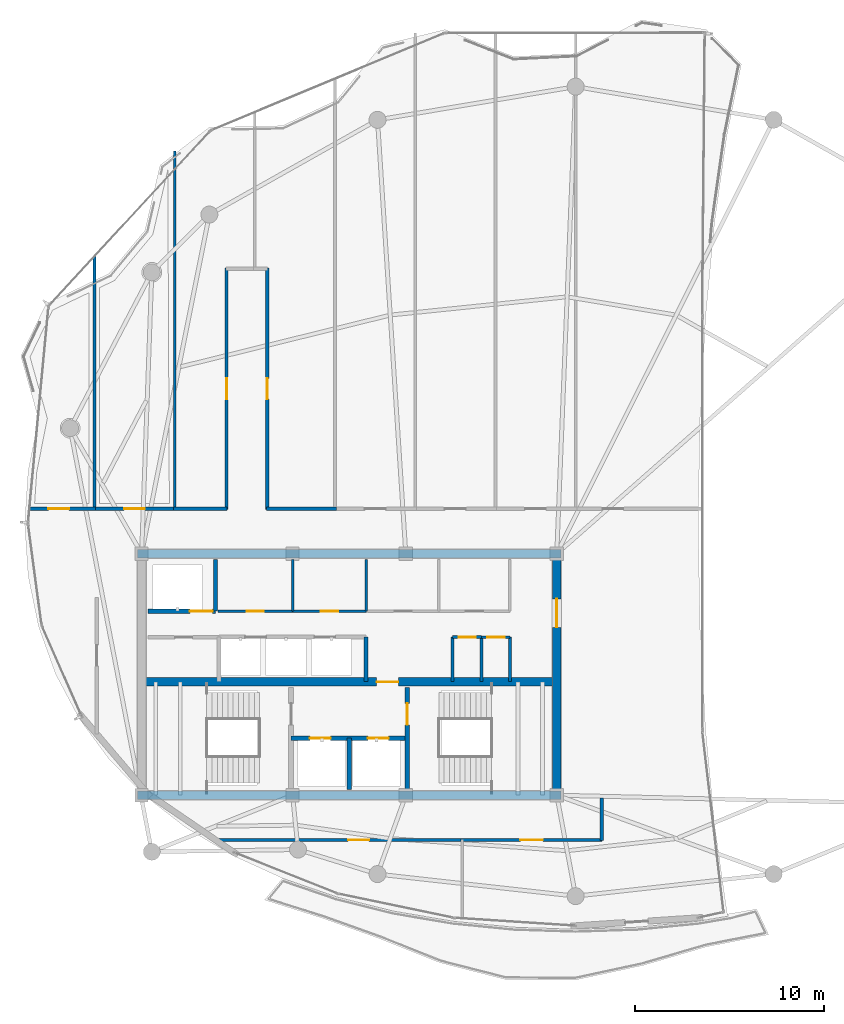
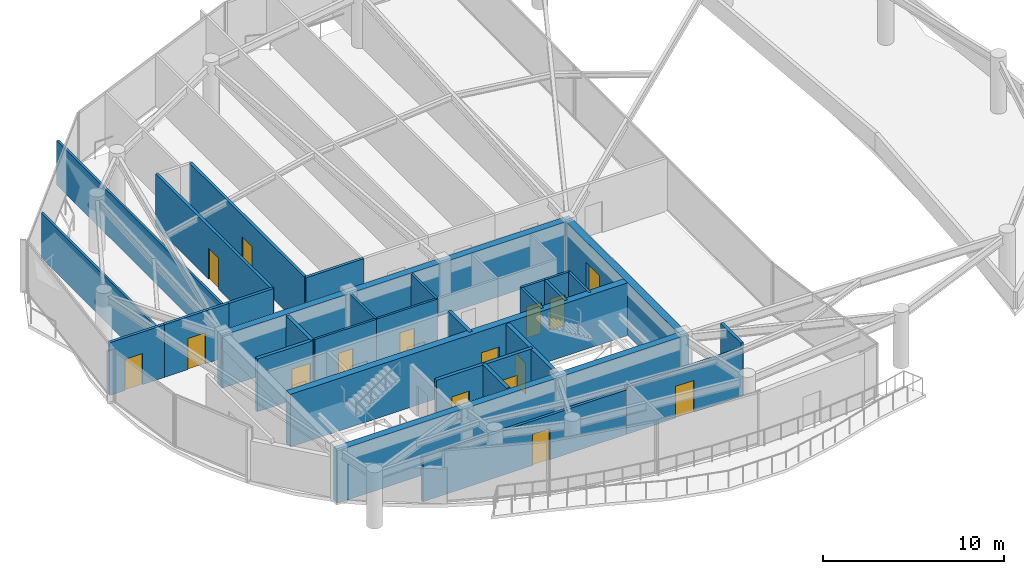
# One storey, part 18 of 22: 30 walls, 16 doors, 16 openings.
"""IFC4 building model written with IfcOpenShell, lengths in metres."""

from ifc_helpers import new_model, si_unit, direction, frame, frame_2d, origin, place, context, subcontext, project, spatial, rectangle, extrude, material, layer, layer_set, type_object, element, fill, save


model = new_model("IFC4")

# Units and contexts
model_context = context("Model", 3, precision=1e-05, world=origin(), true_north=direction((0.0, 1.0)))
body_context = subcontext(model_context, "Body", "Model", "MODEL_VIEW")
ifc_project = project(units=[si_unit("LENGTHUNIT", "METRE"), si_unit("AREAUNIT", "SQUARE_METRE"), si_unit("VOLUMEUNIT", "CUBIC_METRE"), si_unit("PLANEANGLEUNIT", "RADIAN"), si_unit("MASSUNIT", "GRAM", prefix="KILO")], contexts=[model_context])

# Site, building, storey
site_placement = place(None, origin())
site = spatial("IfcSite", under=ifc_project, at=site_placement, CompositionType="ELEMENT")
building_placement = place(site_placement, origin())
building = spatial("IfcBuilding", under=site, at=building_placement, Name="Kazevale Care Tower and Concert Hall", CompositionType="ELEMENT")
storey_placement = place(building_placement, frame((0.0, 0.0, 273.800048828125)))
storey = spatial("IfcBuildingStorey", under=building, at=storey_placement, Name="L72", CompositionType="ELEMENT", Elevation=273.800048828125)

# Wall, opening, door
ifc_material_1 = material(Name="Acoustic Gypsum on Steel Stud", Category="steel")
ifc_layer_1 = layer(ifc_material_1, 0.139892578125)
ifc_layer_set_1 = layer_set([ifc_layer_1], Name="Acoustic Gypsum on Steel Stud")
wall_type_1 = type_object("IfcWallType", Name="Acoustic Care & Suite Partition 140", PredefinedType="PARTITIONING", material=ifc_layer_set_1)
wall_1_placement = place(storey_placement, frame((26.050048828125, 33.35009765625, 0.0), z_axis=(0.0, 0.0, 1.0), x_axis=(1.0, 0.0, 0.0)))
wall_1 = element("IfcWall", 1, at=wall_1_placement, inside=storey, type_object=wall_type_1, Name="wall:L72:c_rpl1_s", PredefinedType="PARTITIONING", context=body_context, shape_type="SweptSolid", body=[
    extrude(rectangle(XDim=3.949951171875, YDim=0.139892578125, at=frame_2d((1.97509765625, 0.0))), origin(), (0.0, 0.0, 1.0), 3.56005859375),
])
opening_1_placement = place(wall_1_placement, frame((1.514892578125, 0.0, 0.0)))
opening_1 = element("IfcOpeningElement", 2, at=opening_1_placement, cuts=wall_1, Name="Opening ID-900", PredefinedType="OPENING", context=body_context, shape_type="SweptSolid", body=[
    extrude(rectangle(XDim=0.919921875, YDim=2.10009765625, at=frame_2d((0.4599609375, 1.050048828125))), frame((0.0, 0.079833984375, 0.0), z_axis=(0.0, -1.0, 0.0), x_axis=(1.0, 0.0, 0.0)), (0.0, 0.0, 1.0), 0.159912109375),
])
ifc_material_2 = material(Name="Oak Timber Fire Leaf", Category="wood")
door_type_1 = type_object("IfcDoorType", Name="Bathroom & Service Door 920x2100", OperationType="NOTDEFINED", PredefinedType="DOOR", material=ifc_material_2)
door_1_placement = place(opening_1_placement, origin())
door_1 = element("IfcDoor", 3, at=door_1_placement, inside=storey, type_object=door_type_1, Name="door:L72:d_rpl1", OperationType="SINGLE_SWING_LEFT", OverallHeight=2.10009765625, OverallWidth=0.919921875, PredefinedType="DOOR", context=body_context, shape_type="SweptSolid", body=[
    extrude(rectangle(XDim=0.919921875, YDim=2.10009765625, at=frame_2d((0.4599609375, 1.050048828125))), frame((0.0, 0.02490234375, 0.0), z_axis=(0.0, -1.0, 0.0), x_axis=(1.0, 0.0, 0.0)), (0.0, 0.0, 1.0), 0.050048828125),
])
fill(opening_1, door_1)

wall_2_placement = place(storey_placement, frame((30.0, 33.35009765625, 0.0), z_axis=(0.0, 0.0, 1.0), x_axis=(1.0, 0.0, 0.0)))
wall_2 = element("IfcWall", 4, at=wall_2_placement, inside=storey, type_object=wall_type_1, Name="wall:L72:c_rpl2_s", PredefinedType="PARTITIONING", context=body_context, shape_type="SweptSolid", body=[
    extrude(rectangle(XDim=3.919921875, YDim=0.139892578125, at=frame_2d((1.9599609375, 0.0))), origin(), (0.0, 0.0, 1.0), 3.56005859375),
])
opening_2_placement = place(wall_2_placement, frame((1.5, 0.0, 0.0)))
opening_2 = element("IfcOpeningElement", 5, at=opening_2_placement, cuts=wall_2, Name="Opening ID-900", PredefinedType="OPENING", context=body_context, shape_type="SweptSolid", body=[
    extrude(rectangle(XDim=0.919921875, YDim=2.10009765625, at=frame_2d((0.4599609375, 1.050048828125))), frame((0.0, 0.079833984375, 0.0), z_axis=(0.0, -1.0, 0.0), x_axis=(1.0, 0.0, 0.0)), (0.0, 0.0, 1.0), 0.159912109375),
])
door_2_placement = place(opening_2_placement, origin())
door_2 = element("IfcDoor", 6, at=door_2_placement, inside=storey, type_object=door_type_1, Name="door:L72:d_rpl2", OperationType="SINGLE_SWING_RIGHT", OverallHeight=2.10009765625, OverallWidth=0.919921875, PredefinedType="DOOR", context=body_context, shape_type="SweptSolid", body=[
    extrude(rectangle(XDim=0.919921875, YDim=2.10009765625, at=frame_2d((0.4599609375, 1.050048828125))), frame((0.0, 0.02490234375, 0.0), z_axis=(0.0, -1.0, 0.0), x_axis=(1.0, 0.0, 0.0)), (0.0, 0.0, 1.0), 0.050048828125),
])
fill(opening_2, door_2)

# Walls
for number, where, z_axis, x_axis, name in (
    (7, (30.0, 33.35009765625, 0.0), (0.0, 0.0, 1.0), (0.0, 1.0, 0.0), "wall:L72:c_rpl_m"),
    (8, (33.89990234375, 33.35009765625, 0.0), (0.0, 0.0, 1.0), (0.0, 1.0, 0.0), "wall:L72:c_rpl_e"),
):
    element("IfcWall", number, at=place(storey_placement, frame(where, z_axis=z_axis, x_axis=x_axis)), inside=storey, type_object=wall_type_1, Name=name, PredefinedType="PARTITIONING", context=body_context, shape_type="SweptSolid", body=[
        extrude(rectangle(XDim=2.75, YDim=0.139892578125, at=frame_2d((1.375, 0.0))), origin(), (0.0, 0.0, 1.0), 3.56005859375),
    ])
wall_3_placement = place(storey_placement, frame((41.52001953125, 29.6201171875, 0.0), z_axis=(0.0, 0.0, 1.0), x_axis=(0.0, 1.0, 0.0)))
element("IfcWall", 9, at=wall_3_placement, inside=storey, type_object=wall_type_1, Name="wall:L72:ka_ee", PredefinedType="PARTITIONING", context=body_context, shape_type="SweptSolid", body=[
    extrude(rectangle(XDim=2.35986328125, YDim=0.139892578125, at=frame_2d((1.179931640625, 0.0))), origin(), (0.0, 0.0, 1.0), 3.56005859375),
])

# Wall, opening, door
wall_4_placement = place(storey_placement, frame((40.0, 31.97998046875, 0.0), z_axis=(0.0, 0.0, 1.0), x_axis=(1.0, 0.0, 0.0)))
wall_4 = element("IfcWall", 10, at=wall_4_placement, inside=storey, type_object=wall_type_1, Name="wall:L72:ka_en2", PredefinedType="PARTITIONING", context=body_context, shape_type="SweptSolid", body=[
    extrude(rectangle(XDim=1.52001953125, YDim=0.139892578125, at=frame_2d((0.760009765625, 0.0))), origin(), (0.0, 0.0, 1.0), 3.56005859375),
])
opening_3_placement = place(wall_4_placement, frame((0.320068359375, 0.0, 0.0)))
opening_3 = element("IfcOpeningElement", 11, at=opening_3_placement, cuts=wall_4, Name="Opening ID-900", PredefinedType="OPENING", context=body_context, shape_type="SweptSolid", body=[
    extrude(rectangle(XDim=0.919921875, YDim=2.10009765625, at=frame_2d((0.4599609375, 1.050048828125))), frame((0.0, 0.079833984375, 0.0), z_axis=(0.0, -1.0, 0.0), x_axis=(1.0, 0.0, 0.0)), (0.0, 0.0, 1.0), 0.159912109375),
])
door_3_placement = place(opening_3_placement, origin())
door_3 = element("IfcDoor", 12, at=door_3_placement, inside=storey, type_object=door_type_1, Name="door:L72:d_kae2", OperationType="SINGLE_SWING_RIGHT", OverallHeight=2.10009765625, OverallWidth=0.919921875, PredefinedType="DOOR", context=body_context, shape_type="SweptSolid", body=[
    extrude(rectangle(XDim=0.919921875, YDim=2.10009765625, at=frame_2d((0.4599609375, 1.050048828125))), frame((0.0, 0.02490234375, 0.0), z_axis=(0.0, -1.0, 0.0), x_axis=(1.0, 0.0, 0.0)), (0.0, 0.0, 1.0), 0.050048828125),
])
fill(opening_3, door_3)

# Walls
wall_5_placement = place(storey_placement, frame((19.5, 52.141357421875, 0.0), z_axis=(0.0, 0.0, 1.0), x_axis=(0.0, -1.0, 0.0)))
element("IfcWall", 13, at=wall_5_placement, inside=storey, type_object=wall_type_1, Name="wall:L72:auto_017", PredefinedType="PARTITIONING", context=body_context, shape_type="SweptSolid", body=[
    extrude(rectangle(XDim=13.396240234375, YDim=0.139892578125, at=frame_2d((6.6982421875, 0.0))), origin(), (0.0, 0.0, 1.0), 3.016845703125),
])
wall_6_placement = place(storey_placement, frame((23.75, 57.737060546875, 0.0), z_axis=(0.0, 0.0, 1.0), x_axis=(0.0, -1.0, 0.0)))
element("IfcWall", 14, at=wall_6_placement, inside=storey, type_object=wall_type_1, Name="wall:L72:auto_018", PredefinedType="PARTITIONING", context=body_context, shape_type="SweptSolid", body=[
    extrude(rectangle(XDim=18.991943359375, YDim=0.139892578125, at=frame_2d((9.49609375, 0.0))), origin(), (0.0, 0.0, 1.0), 3.005859375),
])
ifc_material_3 = material(Name="Concrete C50", Category="concrete")
ifc_layer_2 = layer(ifc_material_3, 0.449951171875)
ifc_layer_set_2 = layer_set([ifc_layer_2], Name="Concrete C50")
wall_type_2 = type_object("IfcWallType", Name="Core Shear Wall 450 C50", PredefinedType="SHEAR", material=ifc_layer_set_2)
for number, where, z_axis, x_axis, name in (
    (15, (21.77490234375, 23.60009765625, 0.0), (0.0, 0.0, 1.0), (1.0, 0.0, 0.0), "wall:L72:core:S"),
    (16, (21.77490234375, 36.39990234375, 0.0), (0.0, 0.0, 1.0), (1.0, 0.0, 0.0), "wall:L72:core:N"),
):
    element("IfcWall", number, at=place(storey_placement, frame(where, z_axis=z_axis, x_axis=x_axis)), inside=storey, type_object=wall_type_2, Name=name, PredefinedType="SHEAR", context=body_context, shape_type="SweptSolid", body=[
        extrude(rectangle(XDim=22.4501953125, YDim=0.449951171875, at=frame_2d((11.22509765625, 0.0))), origin(), (0.0, 0.0, 1.0), 3.56005859375),
    ])

# Wall, opening, door
wall_7_placement = place(storey_placement, frame((44.0, 23.824951171875, 0.0), z_axis=(0.0, 0.0, 1.0), x_axis=(0.0, 1.0, 0.0)))
wall_7 = element("IfcWall", 17, at=wall_7_placement, inside=storey, type_object=wall_type_2, Name="wall:L72:core:E", PredefinedType="SHEAR", context=body_context, shape_type="SweptSolid", body=[
    extrude(rectangle(XDim=12.35009765625, YDim=0.449951171875, at=frame_2d((6.175048828125, 0.0))), origin(), (0.0, 0.0, 1.0), 3.56005859375),
])
opening_4_placement = place(wall_7_placement, frame((8.675048828125, 0.0, 0.0)))
opening_4 = element("IfcOpeningElement", 18, at=opening_4_placement, cuts=wall_7, Name="Opening FD-60D", PredefinedType="OPENING", context=body_context, shape_type="SweptSolid", body=[
    extrude(rectangle(XDim=1.5, YDim=2.14990234375, at=frame_2d((0.75, 1.074951171875))), frame((0.0, 0.23486328125, 0.0), z_axis=(0.0, -1.0, 0.0), x_axis=(1.0, 0.0, 0.0)), (0.0, 0.0, 1.0), 0.469970703125),
])
door_type_2 = type_object("IfcDoorType", Name="Double Lobby & Auditorium Fire Door 1500x2150", OperationType="NOTDEFINED", PredefinedType="DOOR", material=ifc_material_2)
door_4_placement = place(opening_4_placement, origin())
door_4 = element("IfcDoor", 19, at=door_4_placement, inside=storey, type_object=door_type_2, Name="door:L72:core_east_out", OperationType="DOUBLE_DOOR_SINGLE_SWING", OverallHeight=2.14990234375, OverallWidth=1.5, PredefinedType="DOOR", context=body_context, shape_type="SweptSolid", body=[
    extrude(rectangle(XDim=1.5, YDim=2.14990234375, at=frame_2d((0.75, 1.074951171875))), frame((0.0, 0.02490234375, 0.0), z_axis=(0.0, -1.0, 0.0), x_axis=(1.0, 0.0, 0.0)), (0.0, 0.0, 1.0), 0.050048828125),
])
fill(opening_4, door_4)

wall_8_placement = place(storey_placement, frame((22.22509765625, 29.60009765625, 0.0), z_axis=(0.0, 0.0, 1.0), x_axis=(1.0, 0.0, 0.0)))
wall_8 = element("IfcWall", 20, at=wall_8_placement, inside=storey, type_object=wall_type_2, Name="wall:L72:core:M", PredefinedType="SHEAR", context=body_context, shape_type="SweptSolid", body=[
    extrude(rectangle(XDim=21.5498046875, YDim=0.449951171875, at=frame_2d((10.77490234375, 0.0))), origin(), (0.0, 0.0, 1.0), 3.56005859375),
])
opening_5_placement = place(wall_8_placement, frame((12.22509765625, 0.0, 0.0)))
opening_5 = element("IfcOpeningElement", 21, at=opening_5_placement, cuts=wall_8, Name="Opening FD-90", PredefinedType="OPENING", context=body_context, shape_type="SweptSolid", body=[
    extrude(rectangle(XDim=1.14990234375, YDim=2.10009765625, at=frame_2d((0.574951171875, 1.050048828125))), frame((0.0, 0.23486328125, 0.0), z_axis=(0.0, -1.0, 0.0), x_axis=(1.0, 0.0, 0.0)), (0.0, 0.0, 1.0), 0.469970703125),
])
ifc_material_4 = material(Name="Steel ASTM A572 Gr 50", Category="steel")
door_type_3 = type_object("IfcDoorType", Name="Pressurized Stair & Lobby Fire Door 1150x2100", OperationType="NOTDEFINED", PredefinedType="DOOR", material=ifc_material_4)
door_5_placement = place(opening_5_placement, origin())
door_5 = element("IfcDoor", 22, at=door_5_placement, inside=storey, type_object=door_type_3, Name="door:L72:ff_to_pax", OperationType="SINGLE_SWING_LEFT", OverallHeight=2.10009765625, OverallWidth=1.14990234375, PredefinedType="DOOR", context=body_context, shape_type="SweptSolid", body=[
    extrude(rectangle(XDim=1.14990234375, YDim=2.10009765625, at=frame_2d((0.574951171875, 1.050048828125))), frame((0.0, 0.02490234375, 0.0), z_axis=(0.0, -1.0, 0.0), x_axis=(1.0, 0.0, 0.0)), (0.0, 0.0, 1.0), 0.050048828125),
])
fill(opening_5, door_5)

# Wall, openings, doors
ifc_material_5 = material(Name="Concrete C40", Category="concrete")
ifc_layer_3 = layer(ifc_material_5, 0.219970703125)
ifc_layer_set_3 = layer_set([ifc_layer_3], Name="Concrete C40")
wall_type_3 = type_object("IfcWallType", Name="Elevator Hoistway Shaft Wall 220", PredefinedType="SOLIDWALL", material=ifc_layer_set_3)
wall_9_placement = place(storey_placement, frame((29.919921875, 26.6201171875, 0.0), z_axis=(0.0, 0.0, 1.0), x_axis=(1.0, 0.0, 0.0)))
wall_9 = element("IfcWall", 23, at=wall_9_placement, inside=storey, type_object=wall_type_3, Name="wall:L72:c_ffl_n", PredefinedType="SOLIDWALL", context=body_context, shape_type="SweptSolid", body=[
    extrude(rectangle(XDim=6.16015625, YDim=0.219970703125, at=frame_2d((3.080078125, 0.0))), origin(), (0.0, 0.0, 1.0), 3.56005859375),
])
opening_6_placement = place(wall_9_placement, frame((0.989990234375, 0.0, 0.0)))
opening_6 = element("IfcOpeningElement", 24, at=opening_6_placement, cuts=wall_9, Name="Opening LD-FF", PredefinedType="OPENING", context=body_context, shape_type="SweptSolid", body=[
    extrude(rectangle(XDim=1.10009765625, YDim=2.10009765625, at=frame_2d((0.550048828125, 1.050048828125))), frame((0.0, 0.119873046875, 0.0), z_axis=(0.0, -1.0, 0.0), x_axis=(1.0, 0.0, 0.0)), (0.0, 0.0, 1.0), 0.239990234375),
])
opening_7_placement = place(wall_9_placement, frame((4.070068359375, 0.0, 0.0)))
opening_7 = element("IfcOpeningElement", 25, at=opening_7_placement, cuts=wall_9, Name="Opening LD-FF", PredefinedType="OPENING", context=body_context, shape_type="SweptSolid", body=[
    extrude(rectangle(XDim=1.10009765625, YDim=2.10009765625, at=frame_2d((0.550048828125, 1.050048828125))), frame((0.0, 0.119873046875, 0.0), z_axis=(0.0, -1.0, 0.0), x_axis=(1.0, 0.0, 0.0)), (0.0, 0.0, 1.0), 0.239990234375),
])
ifc_material_6 = material(Name="Stainless Steel 316", Category="steel")
door_type_4 = type_object("IfcDoorType", Name="Emergency Lift Sliding Landing Door 1100x2100", OperationType="NOTDEFINED", PredefinedType="DOOR", material=ifc_material_6)
door_6_placement = place(opening_6_placement, origin())
door_6 = element("IfcDoor", 26, at=door_6_placement, inside=storey, type_object=door_type_4, Name="door:L72:ld_ffl1", OperationType="SLIDING_TO_LEFT", OverallHeight=2.10009765625, OverallWidth=1.10009765625, PredefinedType="DOOR", context=body_context, shape_type="SweptSolid", body=[
    extrude(rectangle(XDim=1.10009765625, YDim=2.10009765625, at=frame_2d((0.550048828125, 1.050048828125))), frame((0.0, 0.02490234375, 0.0), z_axis=(0.0, -1.0, 0.0), x_axis=(1.0, 0.0, 0.0)), (0.0, 0.0, 1.0), 0.050048828125),
])
fill(opening_6, door_6)
door_7_placement = place(opening_7_placement, origin())
door_7 = element("IfcDoor", 27, at=door_7_placement, inside=storey, type_object=door_type_4, Name="door:L72:ld_ffl2", OperationType="SLIDING_TO_RIGHT", OverallHeight=2.10009765625, OverallWidth=1.10009765625, PredefinedType="DOOR", context=body_context, shape_type="SweptSolid", body=[
    extrude(rectangle(XDim=1.10009765625, YDim=2.10009765625, at=frame_2d((0.550048828125, 1.050048828125))), frame((0.0, 0.02490234375, 0.0), z_axis=(0.0, -1.0, 0.0), x_axis=(1.0, 0.0, 0.0)), (0.0, 0.0, 1.0), 0.050048828125),
])
fill(opening_7, door_7)

# Walls
wall_10_placement = place(storey_placement, frame((33.0, 23.89990234375, 0.0), z_axis=(0.0, 0.0, 1.0), x_axis=(0.0, 1.0, 0.0)))
element("IfcWall", 28, at=wall_10_placement, inside=storey, type_object=wall_type_3, Name="wall:L72:c_ffl_m", PredefinedType="SOLIDWALL", context=body_context, shape_type="SweptSolid", body=[
    extrude(rectangle(XDim=2.72021484375, YDim=0.219970703125, at=frame_2d((1.360107421875, 0.0))), origin(), (0.0, 0.0, 1.0), 3.56005859375),
])
wall_11_placement = place(storey_placement, frame((25.919921875, 33.35009765625, 0.0), z_axis=(0.0, 0.0, 1.0), x_axis=(0.0, 1.0, 0.0)))
element("IfcWall", 29, at=wall_11_placement, inside=storey, type_object=wall_type_3, Name="wall:L72:c_svl_e", PredefinedType="SOLIDWALL", context=body_context, shape_type="SweptSolid", body=[
    extrude(rectangle(XDim=2.72998046875, YDim=0.219970703125, at=frame_2d((1.364990234375, 0.0))), origin(), (0.0, 0.0, 1.0), 3.56005859375),
])

# Wall, opening, door
wall_12_placement = place(storey_placement, frame((22.35009765625, 33.35009765625, 0.0), z_axis=(0.0, 0.0, 1.0), x_axis=(1.0, 0.0, 0.0)))
wall_12 = element("IfcWall", 30, at=wall_12_placement, inside=storey, type_object=wall_type_3, Name="wall:L72:c_svl_s", PredefinedType="SOLIDWALL", context=body_context, shape_type="SweptSolid", body=[
    extrude(rectangle(XDim=3.56982421875, YDim=0.219970703125, at=frame_2d((1.784912109375, 0.0))), origin(), (0.0, 0.0, 1.0), 3.56005859375),
])
opening_8_placement = place(wall_12_placement, frame((2.212890625, 0.0, 0.0)))
opening_8 = element("IfcOpeningElement", 31, at=opening_8_placement, cuts=wall_12, Name="Opening LD-SV", PredefinedType="OPENING", context=body_context, shape_type="SweptSolid", body=[
    extrude(rectangle(XDim=1.199951171875, YDim=2.10009765625, at=frame_2d((0.60009765625, 1.050048828125))), frame((0.0, 0.119873046875, 0.0), z_axis=(0.0, -1.0, 0.0), x_axis=(1.0, 0.0, 0.0)), (0.0, 0.0, 1.0), 0.239990234375),
])
door_type_5 = type_object("IfcDoorType", Name="Service Lift Sliding Landing Door 1200x2100", OperationType="NOTDEFINED", PredefinedType="DOOR", material=ifc_material_6)
door_8_placement = place(opening_8_placement, origin())
door_8 = element("IfcDoor", 32, at=door_8_placement, inside=storey, type_object=door_type_5, Name="door:L72:ld_svl1", OperationType="SLIDING_TO_LEFT", OverallHeight=2.10009765625, OverallWidth=1.199951171875, PredefinedType="DOOR", context=body_context, shape_type="SweptSolid", body=[
    extrude(rectangle(XDim=1.199951171875, YDim=2.10009765625, at=frame_2d((0.60009765625, 1.050048828125))), frame((0.0, 0.02490234375, 0.0), z_axis=(0.0, -1.0, 0.0), x_axis=(1.0, 0.0, 0.0)), (0.0, 0.0, 1.0), 0.050048828125),
])
fill(opening_8, door_8)

# Wall
wall_13_placement = place(storey_placement, frame((33.89990234375, 29.6201171875, 0.0), z_axis=(0.0, 0.0, 1.0), x_axis=(0.0, 1.0, 0.0)))
element("IfcWall", 33, at=wall_13_placement, inside=storey, type_object=wall_type_3, Name="wall:L72:c_ph_e", PredefinedType="SOLIDWALL", context=body_context, shape_type="SweptSolid", body=[
    extrude(rectangle(XDim=2.35986328125, YDim=0.219970703125, at=frame_2d((1.179931640625, 0.0))), origin(), (0.0, 0.0, 1.0), 3.56005859375),
])

# Wall, opening, door
ifc_material_7 = material(Name="Concrete C40 and Acoustic Gypsum", Category="concrete")
ifc_layer_4 = layer(ifc_material_7, 0.179931640625)
ifc_layer_set_4 = layer_set([ifc_layer_4], Name="Concrete C40 and Acoustic Gypsum")
wall_type_4 = type_object("IfcWallType", Name="Fire-Rated Corridor & Party Wall 180", PredefinedType="PARTITIONING", material=ifc_layer_set_4)
wall_14_placement = place(storey_placement, frame((16.0634765625, 38.77490234375, 0.0), z_axis=(0.0, 0.0, 1.0), x_axis=(1.0, 0.0, 0.0)))
wall_14 = element("IfcWall", 34, at=wall_14_placement, inside=storey, type_object=wall_type_4, Name="wall:L72:auto_001", PredefinedType="PARTITIONING", context=body_context, shape_type="SweptSolid", body=[
    extrude(rectangle(XDim=3.50146484375, YDim=0.179931640625, at=frame_2d((1.750732421875, 0.0))), origin(), (0.0, 0.0, 1.0), 3.56005859375),
])
opening_9_placement = place(wall_14_placement, frame((0.9951171875, 0.0, 0.0)))
opening_9 = element("IfcOpeningElement", 35, at=opening_9_placement, cuts=wall_14, Name="Opening ID-1100", PredefinedType="OPENING", context=body_context, shape_type="SweptSolid", body=[
    extrude(rectangle(XDim=1.10009765625, YDim=2.10009765625, at=frame_2d((0.550048828125, 1.050048828125))), frame((0.0, 0.099853515625, 0.0), z_axis=(0.0, -1.0, 0.0), x_axis=(1.0, 0.0, 0.0)), (0.0, 0.0, 1.0), 0.199951171875),
])
door_type_6 = type_object("IfcDoorType", Name="Care Bedroom Accessible Door 1100x2100", OperationType="NOTDEFINED", PredefinedType="DOOR", material=ifc_material_2)
door_9_placement = place(opening_9_placement, origin())
door_9 = element("IfcDoor", 36, at=door_9_placement, inside=storey, type_object=door_type_6, Name="door:L72:ad_001", OperationType="SINGLE_SWING_LEFT", OverallHeight=2.10009765625, OverallWidth=1.10009765625, PredefinedType="DOOR", context=body_context, shape_type="SweptSolid", body=[
    extrude(rectangle(XDim=1.10009765625, YDim=2.10009765625, at=frame_2d((0.550048828125, 1.050048828125))), frame((0.0, 0.02490234375, 0.0), z_axis=(0.0, -1.0, 0.0), x_axis=(1.0, 0.0, 0.0)), (0.0, 0.0, 1.0), 0.050048828125),
])
fill(opening_9, door_9)

wall_15_placement = place(storey_placement, frame((19.43505859375, 38.77490234375, 0.0), z_axis=(0.0, 0.0, 1.0), x_axis=(1.0, 0.0, 0.0)))
wall_15 = element("IfcWall", 37, at=wall_15_placement, inside=storey, type_object=wall_type_4, Name="wall:L72:auto_002", PredefinedType="PARTITIONING", context=body_context, shape_type="SweptSolid", body=[
    extrude(rectangle(XDim=4.3798828125, YDim=0.179931640625, at=frame_2d((2.18994140625, 0.0))), origin(), (0.0, 0.0, 1.0), 3.56005859375),
])
opening_10_placement = place(wall_15_placement, frame((1.639892578125, 0.0, 0.0)))
opening_10 = element("IfcOpeningElement", 38, at=opening_10_placement, cuts=wall_15, Name="Opening ID-1100", PredefinedType="OPENING", context=body_context, shape_type="SweptSolid", body=[
    extrude(rectangle(XDim=1.10009765625, YDim=2.10009765625, at=frame_2d((0.550048828125, 1.050048828125))), frame((0.0, 0.099853515625, 0.0), z_axis=(0.0, -1.0, 0.0), x_axis=(1.0, 0.0, 0.0)), (0.0, 0.0, 1.0), 0.199951171875),
])
door_10_placement = place(opening_10_placement, origin())
door_10 = element("IfcDoor", 39, at=door_10_placement, inside=storey, type_object=door_type_6, Name="door:L72:ad_002", OperationType="SINGLE_SWING_LEFT", OverallHeight=2.10009765625, OverallWidth=1.10009765625, PredefinedType="DOOR", context=body_context, shape_type="SweptSolid", body=[
    extrude(rectangle(XDim=1.10009765625, YDim=2.10009765625, at=frame_2d((0.550048828125, 1.050048828125))), frame((0.0, 0.02490234375, 0.0), z_axis=(0.0, -1.0, 0.0), x_axis=(1.0, 0.0, 0.0)), (0.0, 0.0, 1.0), 0.050048828125),
])
fill(opening_10, door_10)

wall_16_placement = place(storey_placement, frame((26.5, 38.7451171875, 0.0), z_axis=(0.0, 0.0, 1.0), x_axis=(0.0, 1.0, 0.0)))
wall_16 = element("IfcWall", 40, at=wall_16_placement, inside=storey, type_object=wall_type_4, Name="wall:L72:auto_003", PredefinedType="PARTITIONING", context=body_context, shape_type="SweptSolid", body=[
    extrude(rectangle(XDim=12.784912109375, YDim=0.179931640625, at=frame_2d((6.392578125, 0.0))), origin(), (0.0, 0.0, 1.0), 3.56005859375),
])
opening_11_placement = place(wall_16_placement, frame((5.843017578125, 0.0, 0.0)))
opening_11 = element("IfcOpeningElement", 41, at=opening_11_placement, cuts=wall_16, Name="Opening ID-1100", PredefinedType="OPENING", context=body_context, shape_type="SweptSolid", body=[
    extrude(rectangle(XDim=1.10009765625, YDim=2.10009765625, at=frame_2d((0.550048828125, 1.050048828125))), frame((0.0, 0.099853515625, 0.0), z_axis=(0.0, -1.0, 0.0), x_axis=(1.0, 0.0, 0.0)), (0.0, 0.0, 1.0), 0.199951171875),
])
door_11_placement = place(opening_11_placement, origin())
door_11 = element("IfcDoor", 42, at=door_11_placement, inside=storey, type_object=door_type_6, Name="door:L72:ad_003", OperationType="SINGLE_SWING_LEFT", OverallHeight=2.10009765625, OverallWidth=1.10009765625, PredefinedType="DOOR", context=body_context, shape_type="SweptSolid", body=[
    extrude(rectangle(XDim=1.10009765625, YDim=2.10009765625, at=frame_2d((0.550048828125, 1.050048828125))), frame((0.0, 0.02490234375, 0.0), z_axis=(0.0, -1.0, 0.0), x_axis=(1.0, 0.0, 0.0)), (0.0, 0.0, 1.0), 0.050048828125),
])
fill(opening_11, door_11)

# Wall
wall_17_placement = place(storey_placement, frame((23.68505859375, 38.77490234375, 0.0), z_axis=(0.0, 0.0, 1.0), x_axis=(1.0, 0.0, 0.0)))
element("IfcWall", 43, at=wall_17_placement, inside=storey, type_object=wall_type_4, Name="wall:L72:auto_004", PredefinedType="PARTITIONING", context=body_context, shape_type="SweptSolid", body=[
    extrude(rectangle(XDim=2.844970703125, YDim=0.179931640625, at=frame_2d((1.42236328125, 0.0))), origin(), (0.0, 0.0, 1.0), 3.56005859375),
])

# Wall, opening, door
wall_18_placement = place(storey_placement, frame((28.64990234375, 51.530029296875, 0.0), z_axis=(0.0, 0.0, 1.0), x_axis=(0.0, -1.0, 0.0)))
wall_18 = element("IfcWall", 44, at=wall_18_placement, inside=storey, type_object=wall_type_4, Name="wall:L72:auto_006", PredefinedType="PARTITIONING", context=body_context, shape_type="SweptSolid", body=[
    extrude(rectangle(XDim=12.784912109375, YDim=0.179931640625, at=frame_2d((6.392578125, 0.0))), origin(), (0.0, 0.0, 1.0), 3.56005859375),
])
opening_12_placement = place(wall_18_placement, frame((5.843017578125, 0.0, 0.0)))
opening_12 = element("IfcOpeningElement", 45, at=opening_12_placement, cuts=wall_18, Name="Opening ID-1100", PredefinedType="OPENING", context=body_context, shape_type="SweptSolid", body=[
    extrude(rectangle(XDim=1.10009765625, YDim=2.10009765625, at=frame_2d((0.550048828125, 1.050048828125))), frame((0.0, 0.099853515625, 0.0), z_axis=(0.0, -1.0, 0.0), x_axis=(1.0, 0.0, 0.0)), (0.0, 0.0, 1.0), 0.199951171875),
])
door_12_placement = place(opening_12_placement, origin())
door_12 = element("IfcDoor", 46, at=door_12_placement, inside=storey, type_object=door_type_6, Name="door:L72:ad_006", OperationType="SINGLE_SWING_LEFT", OverallHeight=2.10009765625, OverallWidth=1.10009765625, PredefinedType="DOOR", context=body_context, shape_type="SweptSolid", body=[
    extrude(rectangle(XDim=1.10009765625, YDim=2.10009765625, at=frame_2d((0.550048828125, 1.050048828125))), frame((0.0, 0.02490234375, 0.0), z_axis=(0.0, -1.0, 0.0), x_axis=(1.0, 0.0, 0.0)), (0.0, 0.0, 1.0), 0.050048828125),
])
fill(opening_12, door_12)

# Wall
wall_19_placement = place(storey_placement, frame((28.6201171875, 38.77490234375, 0.0), z_axis=(0.0, 0.0, 1.0), x_axis=(1.0, 0.0, 0.0)))
element("IfcWall", 47, at=wall_19_placement, inside=storey, type_object=wall_type_4, Name="wall:L72:auto_007", PredefinedType="PARTITIONING", context=body_context, shape_type="SweptSolid", body=[
    extrude(rectangle(XDim=3.69482421875, YDim=0.179931640625, at=frame_2d((1.847412109375, 0.0))), origin(), (0.0, 0.0, 1.0), 3.56005859375),
])

# Wall, opening, door
wall_20_placement = place(storey_placement, frame((39.06494140625, 21.22509765625, 0.0), z_axis=(0.0, 0.0, 1.0), x_axis=(-1.0, 0.0, 0.0)))
wall_20 = element("IfcWall", 48, at=wall_20_placement, inside=storey, type_object=wall_type_4, Name="wall:L72:auto_013", PredefinedType="PARTITIONING", context=body_context, shape_type="SweptSolid", body=[
    extrude(rectangle(XDim=13.130126953125, YDim=0.179931640625, at=frame_2d((6.56494140625, 0.0))), origin(), (0.0, 0.0, 1.0), 3.016845703125),
])
opening_13_placement = place(wall_20_placement, frame((5.014892578125, 0.0, 0.0)))
opening_13 = element("IfcOpeningElement", 49, at=opening_13_placement, cuts=wall_20, Name="Opening ID-1100", PredefinedType="OPENING", context=body_context, shape_type="SweptSolid", body=[
    extrude(rectangle(XDim=1.10009765625, YDim=2.10009765625, at=frame_2d((0.550048828125, 1.050048828125))), frame((0.0, 0.099853515625, 0.0), z_axis=(0.0, -1.0, 0.0), x_axis=(1.0, 0.0, 0.0)), (0.0, 0.0, 1.0), 0.199951171875),
])
door_13_placement = place(opening_13_placement, origin())
door_13 = element("IfcDoor", 50, at=door_13_placement, inside=storey, type_object=door_type_6, Name="door:L72:ad_013", OperationType="SINGLE_SWING_LEFT", OverallHeight=2.10009765625, OverallWidth=1.10009765625, PredefinedType="DOOR", context=body_context, shape_type="SweptSolid", body=[
    extrude(rectangle(XDim=1.10009765625, YDim=2.10009765625, at=frame_2d((0.550048828125, 1.050048828125))), frame((0.0, 0.02490234375, 0.0), z_axis=(0.0, -1.0, 0.0), x_axis=(1.0, 0.0, 0.0)), (0.0, 0.0, 1.0), 0.050048828125),
])
fill(opening_13, door_13)

wall_21_placement = place(storey_placement, frame((46.405029296875, 21.22509765625, 0.0), z_axis=(0.0, 0.0, 1.0), x_axis=(-1.0, 0.0, 0.0)))
wall_21 = element("IfcWall", 51, at=wall_21_placement, inside=storey, type_object=wall_type_4, Name="wall:L72:auto_014", PredefinedType="PARTITIONING", context=body_context, shape_type="SweptSolid", body=[
    extrude(rectangle(XDim=7.469970703125, YDim=0.179931640625, at=frame_2d((3.73486328125, 0.0))), origin(), (0.0, 0.0, 1.0), 3.196044921875),
])
opening_14_placement = place(wall_21_placement, frame((3.135009765625, 0.0, 0.0)))
opening_14 = element("IfcOpeningElement", 52, at=opening_14_placement, cuts=wall_21, Name="Opening ID-1200", PredefinedType="OPENING", context=body_context, shape_type="SweptSolid", body=[
    extrude(rectangle(XDim=1.199951171875, YDim=2.14990234375, at=frame_2d((0.60009765625, 1.074951171875))), frame((0.0, 0.099853515625, 0.0), z_axis=(0.0, -1.0, 0.0), x_axis=(1.0, 0.0, 0.0)), (0.0, 0.0, 1.0), 0.199951171875),
])
door_type_7 = type_object("IfcDoorType", Name="Clinical & Therapy Door 1200x2150", OperationType="NOTDEFINED", PredefinedType="DOOR", material=ifc_material_2)
door_14_placement = place(opening_14_placement, origin())
door_14 = element("IfcDoor", 53, at=door_14_placement, inside=storey, type_object=door_type_7, Name="door:L72:ad_014", OperationType="SINGLE_SWING_LEFT", OverallHeight=2.14990234375, OverallWidth=1.199951171875, PredefinedType="DOOR", context=body_context, shape_type="SweptSolid", body=[
    extrude(rectangle(XDim=1.199951171875, YDim=2.14990234375, at=frame_2d((0.60009765625, 1.074951171875))), frame((0.0, 0.02490234375, 0.0), z_axis=(0.0, -1.0, 0.0), x_axis=(1.0, 0.0, 0.0)), (0.0, 0.0, 1.0), 0.050048828125),
])
fill(opening_14, door_14)

# Walls
wall_22_placement = place(storey_placement, frame((46.375, 23.43994140625, 0.0), z_axis=(0.0, 0.0, 1.0), x_axis=(0.0, -1.0, 0.0)))
element("IfcWall", 54, at=wall_22_placement, inside=storey, type_object=wall_type_4, Name="wall:L72:auto_015", PredefinedType="PARTITIONING", context=body_context, shape_type="SweptSolid", body=[
    extrude(rectangle(XDim=2.244873046875, YDim=0.179931640625, at=frame_2d((1.12255859375, 0.0))), origin(), (0.0, 0.0, 1.0), 3.56005859375),
])
ifc_layer_5 = layer(ifc_material_1, 0.159912109375)
ifc_layer_set_5 = layer_set([ifc_layer_5], Name="Acoustic Gypsum on Steel Stud")
wall_type_5 = type_object("IfcWallType", Name="Moisture-Resistant Bathroom Plumbing Wall 160", PredefinedType="PLUMBINGWALL", material=ifc_layer_set_5)
for number, where, z_axis, x_axis, name in (
    (55, (38.47998046875, 29.6201171875, 0.0), (0.0, 0.0, 1.0), (0.0, 1.0, 0.0), "wall:L72:ka_ew"),
    (56, (40.0, 29.6201171875, 0.0), (0.0, 0.0, 1.0), (0.0, 1.0, 0.0), "wall:L72:ka_em"),
):
    element("IfcWall", number, at=place(storey_placement, frame(where, z_axis=z_axis, x_axis=x_axis)), inside=storey, type_object=wall_type_5, Name=name, PredefinedType="PLUMBINGWALL", context=body_context, shape_type="SweptSolid", body=[
        extrude(rectangle(XDim=2.35986328125, YDim=0.159912109375, at=frame_2d((1.179931640625, 0.0))), origin(), (0.0, 0.0, 1.0), 3.56005859375),
    ])

# Wall, opening, door
wall_23_placement = place(storey_placement, frame((38.47998046875, 31.97998046875, 0.0), z_axis=(0.0, 0.0, 1.0), x_axis=(1.0, 0.0, 0.0)))
wall_23 = element("IfcWall", 57, at=wall_23_placement, inside=storey, type_object=wall_type_5, Name="wall:L72:ka_en1", PredefinedType="PLUMBINGWALL", context=body_context, shape_type="SweptSolid", body=[
    extrude(rectangle(XDim=1.52001953125, YDim=0.159912109375, at=frame_2d((0.760009765625, 0.0))), origin(), (0.0, 0.0, 1.0), 3.56005859375),
])
opening_15_placement = place(wall_23_placement, frame((0.320068359375, 0.0, 0.0)))
opening_15 = element("IfcOpeningElement", 58, at=opening_15_placement, cuts=wall_23, Name="Opening ID-900", PredefinedType="OPENING", context=body_context, shape_type="SweptSolid", body=[
    extrude(rectangle(XDim=0.919921875, YDim=2.10009765625, at=frame_2d((0.4599609375, 1.050048828125))), frame((0.0, 0.08984375, 0.0), z_axis=(0.0, -1.0, 0.0), x_axis=(1.0, 0.0, 0.0)), (0.0, 0.0, 1.0), 0.179931640625),
])
door_15_placement = place(opening_15_placement, origin())
door_15 = element("IfcDoor", 59, at=door_15_placement, inside=storey, type_object=door_type_1, Name="door:L72:d_kae1", OperationType="SINGLE_SWING_LEFT", OverallHeight=2.10009765625, OverallWidth=0.919921875, PredefinedType="DOOR", context=body_context, shape_type="SweptSolid", body=[
    extrude(rectangle(XDim=0.919921875, YDim=2.10009765625, at=frame_2d((0.4599609375, 1.050048828125))), frame((0.0, 0.02490234375, 0.0), z_axis=(0.0, -1.0, 0.0), x_axis=(1.0, 0.0, 0.0)), (0.0, 0.0, 1.0), 0.050048828125),
])
fill(opening_15, door_15)

ifc_layer_6 = layer(ifc_material_5, 0.25)
ifc_layer_set_6 = layer_set([ifc_layer_6], Name="Concrete C40")
wall_type_6 = type_object("IfcWallType", Name="Pressurized Stair Shaft Wall 250", PredefinedType="SOLIDWALL", material=ifc_layer_set_6)
wall_24_placement = place(storey_placement, frame((36.080078125, 23.89990234375, 0.0), z_axis=(0.0, 0.0, 1.0), x_axis=(0.0, 1.0, 0.0)))
wall_24 = element("IfcWall", 60, at=wall_24_placement, inside=storey, type_object=wall_type_6, Name="wall:L72:c_st2_w", PredefinedType="SOLIDWALL", context=body_context, shape_type="SweptSolid", body=[
    extrude(rectangle(XDim=5.400146484375, YDim=0.25, at=frame_2d((2.7001953125, 0.0))), origin(), (0.0, 0.0, 1.0), 3.56005859375),
])
opening_16_placement = place(wall_24_placement, frame((3.4208984375, 0.0, 0.0)))
opening_16 = element("IfcOpeningElement", 61, at=opening_16_placement, cuts=wall_24, Name="Opening FD-90", PredefinedType="OPENING", context=body_context, shape_type="SweptSolid", body=[
    extrude(rectangle(XDim=1.14990234375, YDim=2.10009765625, at=frame_2d((0.574951171875, 1.050048828125))), frame((0.0, 0.135009765625, 0.0), z_axis=(0.0, -1.0, 0.0), x_axis=(1.0, 0.0, 0.0)), (0.0, 0.0, 1.0), 0.27001953125),
])
door_16_placement = place(opening_16_placement, origin())
door_16 = element("IfcDoor", 62, at=door_16_placement, inside=storey, type_object=door_type_3, Name="door:L72:st2", OperationType="SINGLE_SWING_LEFT", OverallHeight=2.10009765625, OverallWidth=1.14990234375, PredefinedType="DOOR", context=body_context, shape_type="SweptSolid", body=[
    extrude(rectangle(XDim=1.14990234375, YDim=2.10009765625, at=frame_2d((0.574951171875, 1.050048828125))), frame((0.0, 0.02490234375, 0.0), z_axis=(0.0, -1.0, 0.0), x_axis=(1.0, 0.0, 0.0)), (0.0, 0.0, 1.0), 0.050048828125),
])
fill(opening_16, door_16)

save(model, "model.ifc")
